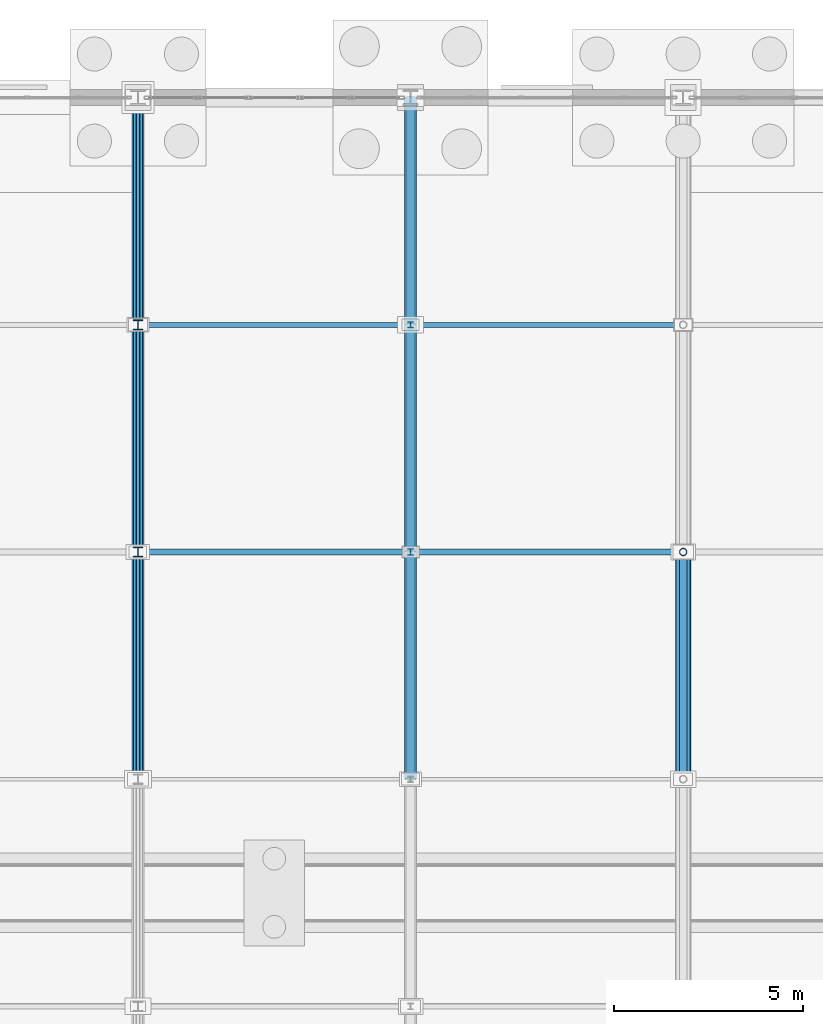
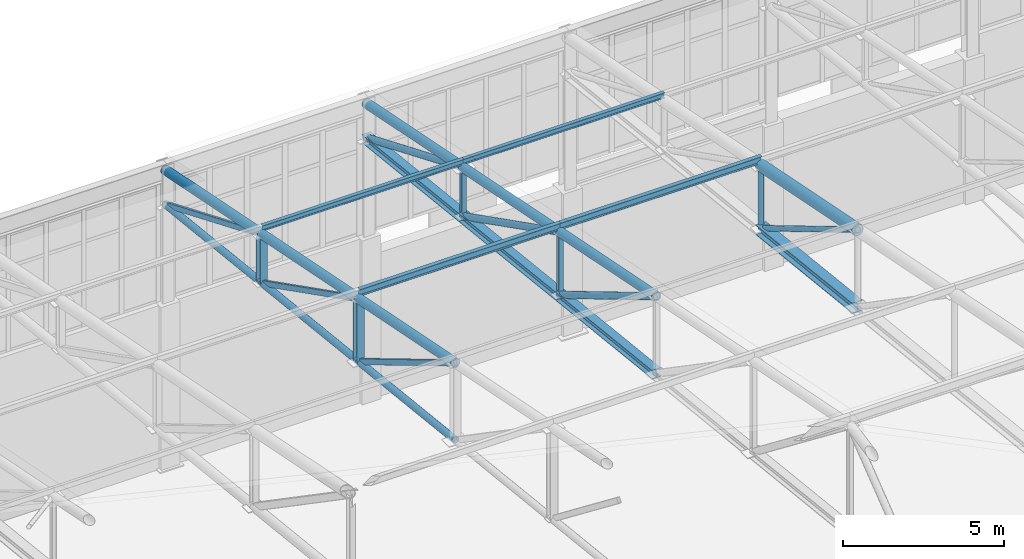
# One storey, part 218 of 293: 30 members.
"""IFC4 building model written with IfcOpenShell, lengths in metres."""

from ifc_helpers import new_model, si_unit, direction, frame, origin, origin_2d, place, context, subcontext, project, spatial, hollow_rectangle, hollow_circle, i_section, extrude, material, material_profile, profile_set, type_object, element, save


model = new_model("IFC4")

# Units and contexts
model_context = context("Model", 3, precision=1e-05, world=origin(), true_north=direction((0.0, 1.0)))
body_context = subcontext(model_context, "Body", "Model", "MODEL_VIEW")
ifc_project = project(units=[si_unit("LENGTHUNIT", "METRE"), si_unit("AREAUNIT", "SQUARE_METRE"), si_unit("VOLUMEUNIT", "CUBIC_METRE"), si_unit("PLANEANGLEUNIT", "RADIAN"), si_unit("MASSUNIT", "GRAM", prefix="KILO")], contexts=[model_context])

# Site, building, storey
site_placement = place(None, origin())
site = spatial("IfcSite", under=ifc_project, at=site_placement, CompositionType="ELEMENT")
building_placement = place(site_placement, origin())
building = spatial("IfcBuilding", under=site, at=building_placement, Name="Kemerveld Promenade Tramway Depot", CompositionType="ELEMENT")
storey_placement = place(building_placement, origin())
storey = spatial("IfcBuildingStorey", under=building, at=storey_placement, Name="L00", CompositionType="ELEMENT", Elevation=0.0)

# Members
ifc_material = material(Name="Steel S355", Category="steel")
ifc_material_profile_1 = material_profile(ifc_material, hollow_rectangle(XDim=0.10009765625, YDim=0.199951171875, WallThickness=0.008056640625, InnerFilletRadius=0.00390625, OuterFilletRadius=0.011962890625, at=origin_2d()), Name="200x100x8.0 RHS")
ifc_profile_set_1 = profile_set([ifc_material_profile_1], Name="Steel S355")
member_type_1 = type_object("IfcMemberType", Name="MB-M03", PredefinedType="BRACE", material=ifc_profile_set_1)
member_1_placement = place(storey_placement, frame((129.60009765625, 132.0, 11.1201171875), z_axis=(0.0, -0.8587636701, 0.512371895128), x_axis=(1.0, 0.0, 0.0)))
element("IfcMember", 1, at=member_1_placement, inside=storey, type_object=member_type_1, Name="TR-19-DG-08", PredefinedType="BRACE", context=body_context, shape_type="SweptSolid", body=[
    extrude(hollow_rectangle(XDim=0.10009765625, YDim=0.199951171875, WallThickness=0.008056640625, InnerFilletRadius=0.00390625, OuterFilletRadius=0.011962890625, at=origin_2d()), origin(), (0.0, 0.0, 1.0), 6.98681640625),
])
member_2_placement = place(storey_placement, frame((129.60009765625, 138.0, 10.4599609375), z_axis=(0.0, -0.892033434612, 0.451969414379), x_axis=(1.0, 0.0, 0.0)))
element("IfcMember", 2, at=member_2_placement, inside=storey, type_object=member_type_1, Name="TR-19-DG-09", PredefinedType="BRACE", context=body_context, shape_type="SweptSolid", body=[
    extrude(hollow_rectangle(XDim=0.10009765625, YDim=0.199951171875, WallThickness=0.008056640625, InnerFilletRadius=0.00390625, OuterFilletRadius=0.011962890625, at=origin_2d()), origin(), (0.0, 0.0, 1.0), 6.726318359375),
])
member_3_placement = place(storey_placement, frame((129.60009765625, 144.0, 9.800048828125), z_axis=(0.0, -0.923076923077, 0.384615384615), x_axis=(1.0, 0.0, 0.0)))
element("IfcMember", 3, at=member_3_placement, inside=storey, type_object=member_type_1, Name="TR-19-DG-10", PredefinedType="BRACE", context=body_context, shape_type="SweptSolid", body=[
    extrude(hollow_rectangle(XDim=0.10009765625, YDim=0.199951171875, WallThickness=0.008056640625, InnerFilletRadius=0.00390625, OuterFilletRadius=0.011962890625, at=origin_2d()), origin(), (0.0, 0.0, 1.0), 6.5),
])
ifc_material_profile_2 = material_profile(ifc_material, i_section(OverallWidth=0.25634765625, OverallDepth=0.26025390625, WebThickness=0.01025390625, FlangeThickness=0.017333984375, FilletRadius=0.0126953125, at=origin_2d()), Name="254x254x89 UC")
ifc_profile_set_2 = profile_set([ifc_material_profile_2], Name="Steel S355")
member_type_2 = type_object("IfcMemberType", Name="MB-M04", PredefinedType="POST", material=ifc_profile_set_2)
member_4_placement = place(storey_placement, frame((129.60009765625, 132.0, 11.1201171875), z_axis=(0.0, 0.0, 1.0), x_axis=(1.0, 0.0, 0.0)))
element("IfcMember", 4, at=member_4_placement, inside=storey, type_object=member_type_2, Name="TR-19-VT-08", PredefinedType="POST", context=body_context, shape_type="SweptSolid", body=[
    extrude(i_section(OverallWidth=0.25634765625, OverallDepth=0.26025390625, WebThickness=0.01025390625, FlangeThickness=0.017333984375, FilletRadius=0.0126953125, at=origin_2d()), origin(), (0.0, 0.0, 1.0), 2.3798828125),
])
member_5_placement = place(storey_placement, frame((129.60009765625, 138.0, 10.4599609375), z_axis=(0.0, 0.0, 1.0), x_axis=(1.0, 0.0, 0.0)))
element("IfcMember", 5, at=member_5_placement, inside=storey, type_object=member_type_2, Name="TR-19-VT-09", PredefinedType="POST", context=body_context, shape_type="SweptSolid", body=[
    extrude(i_section(OverallWidth=0.25634765625, OverallDepth=0.26025390625, WebThickness=0.01025390625, FlangeThickness=0.017333984375, FilletRadius=0.0126953125, at=origin_2d()), origin(), (0.0, 0.0, 1.0), 1.840087890625),
])
ifc_material_profile_3 = material_profile(ifc_material, i_section(OverallWidth=0.154296875, OverallDepth=0.161865234375, WebThickness=0.008056640625, FlangeThickness=0.011474609375, FilletRadius=0.007568359375, at=origin_2d()), Name="152x152x37 UC")
ifc_profile_set_3 = profile_set([ifc_material_profile_3], Name="Steel S355")
member_type_3 = type_object("IfcMemberType", Name="MB-M05", PredefinedType="POST", material=ifc_profile_set_3)
member_6_placement = place(storey_placement, frame((136.800048828125, 132.0, 11.1201171875), z_axis=(0.0, 0.0, 1.0), x_axis=(1.0, 0.0, 0.0)))
element("IfcMember", 6, at=member_6_placement, inside=storey, type_object=member_type_3, Name="TR-20-VT-08", PredefinedType="POST", context=body_context, shape_type="SweptSolid", body=[
    extrude(i_section(OverallWidth=0.154296875, OverallDepth=0.161865234375, WebThickness=0.008056640625, FlangeThickness=0.011474609375, FilletRadius=0.007568359375, at=origin_2d()), origin(), (0.0, 0.0, 1.0), 2.3798828125),
])
member_7_placement = place(storey_placement, frame((136.800048828125, 138.0, 10.4599609375), z_axis=(0.0, 0.0, 1.0), x_axis=(1.0, 0.0, 0.0)))
element("IfcMember", 7, at=member_7_placement, inside=storey, type_object=member_type_3, Name="TR-20-VT-09", PredefinedType="POST", context=body_context, shape_type="SweptSolid", body=[
    extrude(i_section(OverallWidth=0.154296875, OverallDepth=0.161865234375, WebThickness=0.008056640625, FlangeThickness=0.011474609375, FilletRadius=0.007568359375, at=origin_2d()), origin(), (0.0, 0.0, 1.0), 1.840087890625),
])
ifc_material_profile_4 = material_profile(ifc_material, i_section(OverallWidth=0.37255859375, OverallDepth=0.3681640625, WebThickness=0.014404296875, FlangeThickness=0.023681640625, FilletRadius=0.01513671875, at=origin_2d()), Name="356x368x177 UC")
ifc_profile_set_4 = profile_set([ifc_material_profile_4], Name="Steel S355")
member_type_4 = type_object("IfcMemberType", Name="MB-M08", PredefinedType="CHORD", material=ifc_profile_set_4)
member_8_placement = place(storey_placement, frame((144.0, 126.0, 11.780029296875), z_axis=(0.0, 0.994005938353, -0.109326092585), x_axis=(-1.0, 0.0, 0.0)))
element("IfcMember", 8, at=member_8_placement, inside=storey, type_object=member_type_4, Name="TR-21-BC-08", PredefinedType="CHORD", context=body_context, shape_type="SweptSolid", body=[
    extrude(i_section(OverallWidth=0.37255859375, OverallDepth=0.3681640625, WebThickness=0.014404296875, FlangeThickness=0.023681640625, FilletRadius=0.01513671875, at=origin_2d()), origin(), (0.0, 0.0, 1.0), 6.0361328125),
])
ifc_material_profile_5 = material_profile(ifc_material, i_section(OverallWidth=0.146484375, OverallDepth=0.256103515625, WebThickness=0.00634765625, FlangeThickness=0.010986328125, FilletRadius=0.007568359375, at=origin_2d()), Name="254x146x37 UB")
ifc_profile_set_5 = profile_set([ifc_material_profile_5], Name="Steel S355")
member_type_5 = type_object("IfcMemberType", Name="MB-PR3", PredefinedType="PURLIN", material=ifc_profile_set_5)
for number, where, z_axis, x_axis, name in (
    (9, (129.60009765625, 132.0, 13.7451171875), (1.0, 0.0, 0.0), (0.0, 1.0, 0.0), "PUR-V1-08-19"),
    (10, (136.800048828125, 132.0, 13.7451171875), (1.0, 0.0, 0.0), (0.0, 1.0, 0.0), "PUR-V1-08-20"),
):
    element("IfcMember", number, at=place(storey_placement, frame(where, z_axis=z_axis, x_axis=x_axis)), inside=storey, type_object=member_type_5, Name=name, PredefinedType="PURLIN", context=body_context, shape_type="SweptSolid", body=[
        extrude(i_section(OverallWidth=0.146484375, OverallDepth=0.256103515625, WebThickness=0.00634765625, FlangeThickness=0.010986328125, FilletRadius=0.007568359375, at=origin_2d()), origin(), (0.0, 0.0, 1.0), 7.199951171875),
    ])
ifc_material_profile_6 = material_profile(ifc_material, i_section(OverallWidth=0.13330078125, OverallDepth=0.203125, WebThickness=0.005615234375, FlangeThickness=0.0078125, FilletRadius=0.007568359375, at=origin_2d()), Name="203x133x25 UB")
ifc_profile_set_6 = profile_set([ifc_material_profile_6], Name="Steel S355")
member_type_6 = type_object("IfcMemberType", Name="MB-PR4", PredefinedType="PURLIN", material=ifc_profile_set_6)
for number, where, z_axis, x_axis, name in (
    (11, (129.60009765625, 138.0, 12.544921875), (1.0, 0.0, 0.0), (0.0, 1.0, 0.0), "PUR-V1-09-19"),
    (12, (136.800048828125, 138.0, 12.544921875), (1.0, 0.0, 0.0), (0.0, 1.0, 0.0), "PUR-V1-09-20"),
):
    element("IfcMember", number, at=place(storey_placement, frame(where, z_axis=z_axis, x_axis=x_axis)), inside=storey, type_object=member_type_6, Name=name, PredefinedType="PURLIN", context=body_context, shape_type="SweptSolid", body=[
        extrude(i_section(OverallWidth=0.13330078125, OverallDepth=0.203125, WebThickness=0.005615234375, FlangeThickness=0.0078125, FilletRadius=0.007568359375, at=origin_2d()), origin(), (0.0, 0.0, 1.0), 7.199951171875),
    ])
ifc_material_profile_7 = material_profile(ifc_material, hollow_circle(Radius=0.122314453125, WallThickness=0.010009765625, at=origin_2d()), Name="244.5x10.0 CHS")
ifc_profile_set_7 = profile_set([ifc_material_profile_7], Name="Steel S355")
member_type_7 = type_object("IfcMemberType", Name="MB-TB1", PredefinedType="BRACE", material=ifc_profile_set_7)
member_9_placement = place(storey_placement, frame((136.800048828125, 132.0, 11.1201171875), z_axis=(0.0, -0.8587636701, 0.512371895128), x_axis=(1.0, 0.0, 0.0)))
element("IfcMember", 13, at=member_9_placement, inside=storey, type_object=member_type_7, Name="TR-20-DG-08", PredefinedType="BRACE", context=body_context, shape_type="SweptSolid", body=[
    extrude(hollow_circle(Radius=0.122314453125, WallThickness=0.010009765625, at=origin_2d()), origin(), (0.0, 0.0, 1.0), 6.98681640625),
])
member_10_placement = place(storey_placement, frame((136.800048828125, 138.0, 10.4599609375), z_axis=(0.0, -0.892033434612, 0.451969414379), x_axis=(1.0, 0.0, 0.0)))
element("IfcMember", 14, at=member_10_placement, inside=storey, type_object=member_type_7, Name="TR-20-DG-09", PredefinedType="BRACE", context=body_context, shape_type="SweptSolid", body=[
    extrude(hollow_circle(Radius=0.122314453125, WallThickness=0.010009765625, at=origin_2d()), origin(), (0.0, 0.0, 1.0), 6.726318359375),
])
member_11_placement = place(storey_placement, frame((136.800048828125, 144.0, 9.800048828125), z_axis=(0.0, -0.923076923077, 0.384615384615), x_axis=(1.0, 0.0, 0.0)))
element("IfcMember", 15, at=member_11_placement, inside=storey, type_object=member_type_7, Name="TR-20-DG-10", PredefinedType="BRACE", context=body_context, shape_type="SweptSolid", body=[
    extrude(hollow_circle(Radius=0.122314453125, WallThickness=0.010009765625, at=origin_2d()), origin(), (0.0, 0.0, 1.0), 6.5),
])
ifc_material_profile_8 = material_profile(ifc_material, hollow_circle(Radius=0.096923828125, WallThickness=0.008056640625, at=origin_2d()), Name="193.7x8.0 CHS")
ifc_profile_set_8 = profile_set([ifc_material_profile_8], Name="Steel S355")
member_type_8 = type_object("IfcMemberType", Name="MB-TB2", PredefinedType="BRACE", material=ifc_profile_set_8)
member_12_placement = place(storey_placement, frame((144.0, 132.0, 11.1201171875), z_axis=(0.0, -0.8587636701, 0.512371895128), x_axis=(1.0, 0.0, 0.0)))
element("IfcMember", 16, at=member_12_placement, inside=storey, type_object=member_type_8, Name="TR-21-DG-08", PredefinedType="BRACE", context=body_context, shape_type="SweptSolid", body=[
    extrude(hollow_circle(Radius=0.096923828125, WallThickness=0.008056640625, at=origin_2d()), origin(), (0.0, 0.0, 1.0), 6.98681640625),
])
ifc_material_profile_9 = material_profile(ifc_material, hollow_circle(Radius=0.203125, WallThickness=0.01611328125, at=origin_2d()), Name="406.4x16.0 CHS")
ifc_profile_set_9 = profile_set([ifc_material_profile_9], Name="Steel S355")
member_type_9 = type_object("IfcMemberType", Name="MB-TC1", PredefinedType="CHORD", material=ifc_profile_set_9)
member_13_placement = place(storey_placement, frame((144.0, 126.0, 14.699951171875), z_axis=(0.0, 0.980582210276, -0.196108462057), x_axis=(-1.0, 0.0, 0.0)))
element("IfcMember", 17, at=member_13_placement, inside=storey, type_object=member_type_9, Name="TR-21-TC-08", PredefinedType="CHORD", context=body_context, shape_type="SweptSolid", body=[
    extrude(hollow_circle(Radius=0.203125, WallThickness=0.01611328125, at=origin_2d()), origin(), (0.0, 0.0, 1.0), 6.118896484375),
])
ifc_material_profile_10 = material_profile(ifc_material, hollow_circle(Radius=0.161865234375, WallThickness=0.012451171875, at=origin_2d()), Name="323.9x12.5 CHS")
ifc_profile_set_10 = profile_set([ifc_material_profile_10], Name="Steel S355")
member_type_10 = type_object("IfcMemberType", Name="MB-TC2", PredefinedType="CHORD", material=ifc_profile_set_10)
for number, where, z_axis, x_axis, name in (
    (18, (129.60009765625, 126.0, 14.699951171875), (0.0, 0.980582210276, -0.196108462057), (-1.0, 0.0, 0.0), "TR-19-TC-08"),
    (19, (129.60009765625, 132.0, 13.5), (0.0, 0.980582210276, -0.196108462057), (-1.0, 0.0, 0.0), "TR-19-TC-09"),
    (20, (129.60009765625, 138.0, 12.300048828125), (0.0, 0.980582210276, -0.196108462057), (-1.0, 0.0, 0.0), "TR-19-TC-10"),
    (21, (136.800048828125, 126.0, 14.699951171875), (0.0, 0.980582210276, -0.196108462057), (-1.0, 0.0, 0.0), "TR-20-TC-08"),
    (22, (136.800048828125, 132.0, 13.5), (0.0, 0.980582210276, -0.196108462057), (-1.0, 0.0, 0.0), "TR-20-TC-09"),
    (23, (136.800048828125, 138.0, 12.300048828125), (0.0, 0.980582210276, -0.196108462057), (-1.0, 0.0, 0.0), "TR-20-TC-10"),
):
    element("IfcMember", number, at=place(storey_placement, frame(where, z_axis=z_axis, x_axis=x_axis)), inside=storey, type_object=member_type_10, Name=name, PredefinedType="CHORD", context=body_context, shape_type="SweptSolid", body=[
        extrude(hollow_circle(Radius=0.161865234375, WallThickness=0.012451171875, at=origin_2d()), origin(), (0.0, 0.0, 1.0), 6.118896484375),
    ])
ifc_material_profile_11 = material_profile(ifc_material, hollow_circle(Radius=0.122314453125, WallThickness=0.010009765625, at=origin_2d()), Name="244.5x10.0 CHS")
ifc_profile_set_11 = profile_set([ifc_material_profile_11], Name="Steel S355")
member_type_11 = type_object("IfcMemberType", Name="MB-TC3", PredefinedType="CHORD", material=ifc_profile_set_11)
for number, where, z_axis, x_axis, name in (
    (24, (129.60009765625, 126.0, 11.780029296875), (0.0, 0.994005938353, -0.109326092585), (-1.0, 0.0, 0.0), "TR-19-BC-08"),
    (25, (129.60009765625, 132.0, 11.1201171875), (0.0, 0.994001542248, -0.109366055104), (-1.0, 0.0, 0.0), "TR-19-BC-09"),
    (26, (129.60009765625, 138.0, 10.4599609375), (0.0, 0.994005938353, -0.109326092585), (-1.0, 0.0, 0.0), "TR-19-BC-10"),
):
    element("IfcMember", number, at=place(storey_placement, frame(where, z_axis=z_axis, x_axis=x_axis)), inside=storey, type_object=member_type_11, Name=name, PredefinedType="CHORD", context=body_context, shape_type="SweptSolid", body=[
        extrude(hollow_circle(Radius=0.122314453125, WallThickness=0.010009765625, at=origin_2d()), origin(), (0.0, 0.0, 1.0), 6.0361328125),
    ])
ifc_material_profile_12 = material_profile(ifc_material, i_section(OverallWidth=0.307373046875, OverallDepth=0.314453125, WebThickness=0.011962890625, FlangeThickness=0.018798828125, FilletRadius=0.01513671875, at=origin_2d()), Name="305x305x118 UC")
ifc_profile_set_12 = profile_set([ifc_material_profile_12], Name="Steel S355")
member_type_12 = type_object("IfcMemberType", Name="MB-TC4", PredefinedType="CHORD", material=ifc_profile_set_12)
for number, where, z_axis, x_axis, name in (
    (27, (136.800048828125, 126.0, 11.780029296875), (0.0, 0.994005938353, -0.109326092585), (-1.0, 0.0, 0.0), "TR-20-BC-08"),
    (28, (136.800048828125, 132.0, 11.1201171875), (0.0, 0.994001542248, -0.109366055104), (-1.0, 0.0, 0.0), "TR-20-BC-09"),
    (29, (136.800048828125, 138.0, 10.4599609375), (0.0, 0.994005938353, -0.109326092585), (-1.0, 0.0, 0.0), "TR-20-BC-10"),
):
    element("IfcMember", number, at=place(storey_placement, frame(where, z_axis=z_axis, x_axis=x_axis)), inside=storey, type_object=member_type_12, Name=name, PredefinedType="CHORD", context=body_context, shape_type="SweptSolid", body=[
        extrude(i_section(OverallWidth=0.307373046875, OverallDepth=0.314453125, WebThickness=0.011962890625, FlangeThickness=0.018798828125, FilletRadius=0.01513671875, at=origin_2d()), origin(), (0.0, 0.0, 1.0), 6.0361328125),
    ])
ifc_material_profile_13 = material_profile(ifc_material, hollow_circle(Radius=0.096923828125, WallThickness=0.008056640625, at=origin_2d()), Name="193.7x8.0 CHS")
ifc_profile_set_13 = profile_set([ifc_material_profile_13], Name="Steel S355")
member_type_13 = type_object("IfcMemberType", Name="MB-TP1", PredefinedType="POST", material=ifc_profile_set_13)
member_14_placement = place(storey_placement, frame((144.0, 132.0, 11.1201171875), z_axis=(0.0, 0.0, 1.0), x_axis=(1.0, 0.0, 0.0)))
element("IfcMember", 30, at=member_14_placement, inside=storey, type_object=member_type_13, Name="TR-21-VT-08", PredefinedType="POST", context=body_context, shape_type="SweptSolid", body=[
    extrude(hollow_circle(Radius=0.096923828125, WallThickness=0.008056640625, at=origin_2d()), origin(), (0.0, 0.0, 1.0), 2.3798828125),
])

save(model, "model.ifc")
